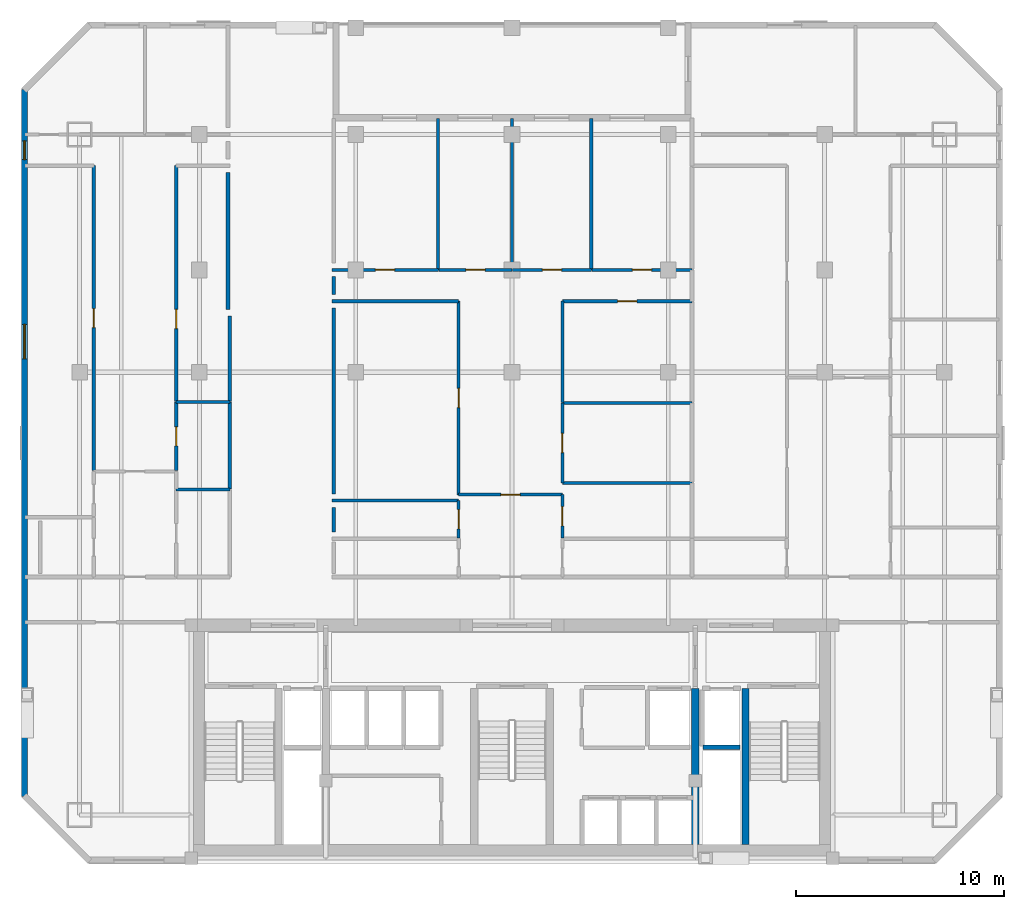
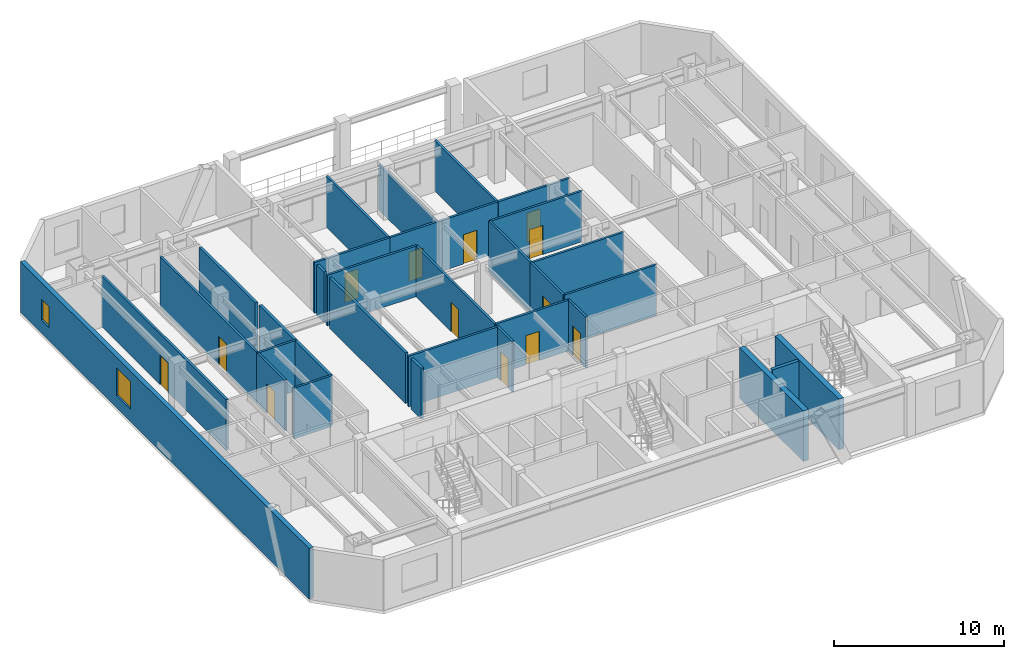
# One storey, part 4 of 8: 33 walls, 13 doors, 2 windows, 15 openings.
"""IFC4 building model written with IfcOpenShell, lengths in metres."""

from ifc_helpers import new_model, si_unit, direction, frame, frame_2d, origin, place, context, subcontext, project, spatial, rectangle, extrude, material, layer, layer_set, type_object, element, fill, save


model = new_model("IFC4")

# Units and contexts
model_context = context("Model", 3, precision=1e-05, world=origin(), true_north=direction((0.0, 1.0)))
body_context = subcontext(model_context, "Body", "Model", "MODEL_VIEW")
ifc_project = project(units=[si_unit("LENGTHUNIT", "METRE"), si_unit("AREAUNIT", "SQUARE_METRE"), si_unit("VOLUMEUNIT", "CUBIC_METRE"), si_unit("PLANEANGLEUNIT", "RADIAN"), si_unit("MASSUNIT", "GRAM", prefix="KILO")], contexts=[model_context])

# Site, building, storey
site_placement = place(None, origin())
site = spatial("IfcSite", under=ifc_project, at=site_placement, CompositionType="ELEMENT")
building_placement = place(site_placement, origin())
building = spatial("IfcBuilding", under=site, at=building_placement, Name="Ventersveld Concourse Tower", CompositionType="ELEMENT")
storey_placement = place(building_placement, frame((0.0, 0.0, 196.449951171875)))
storey = spatial("IfcBuildingStorey", under=building, at=storey_placement, Name="L48", CompositionType="ELEMENT", Elevation=196.449951171875)

# Walls
ifc_material_1 = material(Name="Concrete C50/60", Category="concrete")
ifc_layer_1 = layer(ifc_material_1, 0.35009765625)
ifc_layer_set_1 = layer_set([ifc_layer_1], Name="Concrete C50/60")
wall_type_1 = type_object("IfcWallType", Name="WL-CORE-350U", PredefinedType="SHEAR", material=ifc_layer_set_1)
for number, where, z_axis, x_axis, name in (
    (1, (37.550048828125, 0.919921875, 0.0), (0.0, 0.0, 1.0), (0.0, 1.0, 0.0), "L48 Core Internal Shear Web W-SVL-W"),
    (2, (39.9599609375, 0.919921875, 0.0), (0.0, 0.0, 1.0), (0.0, 1.0, 0.0), "L48 Core Internal Shear Web W-ST2-W"),
):
    element("IfcWall", number, at=place(storey_placement, frame(where, z_axis=z_axis, x_axis=x_axis)), inside=storey, type_object=wall_type_1, Name=name, PredefinedType="SHEAR", context=body_context, shape_type="SweptSolid", body=[
        extrude(rectangle(XDim=7.5, YDim=0.35009765625, at=frame_2d((3.75, 0.0))), origin(), (0.0, 0.0, 1.0), 3.630126953125),
    ])
ifc_material_2 = material(Name="Fire-rated autoclaved aerated masonry blockwork", Category="masonry")
ifc_layer_2 = layer(ifc_material_2, 0.179931640625)
ifc_layer_set_2 = layer_set([ifc_layer_2], Name="Fire-rated autoclaved aerated masonry blockwork")
wall_type_2 = type_object("IfcWallType", Name="WL-CORR-180", PredefinedType="PARTITIONING", material=ifc_layer_set_2)
wall_1_placement = place(storey_placement, frame((15.2099609375, 17.997314453125, 0.0), z_axis=(0.0, 0.0, 1.0), x_axis=(0.0, 1.0, 0.0)))
element("IfcWall", 3, at=wall_1_placement, inside=storey, type_object=wall_type_2, Name="L48 Interior Partition SP-L48-COR-SP-L48-48NW-PANR1", PredefinedType="PARTITIONING", context=body_context, shape_type="SweptSolid", body=[
    extrude(rectangle(XDim=4.16259765625, YDim=0.179931640625, at=frame_2d((2.081298828125, 0.0))), origin(), (0.0, 0.0, 1.0), 3.630126953125),
])
wall_2_placement = place(storey_placement, frame((15.2099609375, 22.189697265625, 0.0), z_axis=(0.0, 0.0, 1.0), x_axis=(0.0, 1.0, 0.0)))
element("IfcWall", 4, at=wall_2_placement, inside=storey, type_object=wall_type_2, Name="L48 Interior Partition SP-L48-COR-SP-L48-48NW-DENR", PredefinedType="PARTITIONING", context=body_context, shape_type="SweptSolid", body=[
    extrude(rectangle(XDim=4.105224609375, YDim=0.179931640625, at=frame_2d((2.052734375, 0.0))), origin(), (0.0, 0.0, 1.0), 3.630126953125),
])
wall_3_placement = place(storey_placement, frame((15.1201171875, 33.175048828125, 0.0), z_axis=(0.0, 0.0, 1.0), x_axis=(0.0, -1.0, 0.0)))
element("IfcWall", 5, at=wall_3_placement, inside=storey, type_object=wall_type_2, Name="L48 Room Enclosure Wall SP-L48-48NW-DENR", PredefinedType="PARTITIONING", context=body_context, shape_type="SweptSolid", body=[
    extrude(rectangle(XDim=6.565185546875, YDim=0.179931640625, at=frame_2d((3.28271484375, 0.0))), origin(), (0.0, 0.0, 1.0), 3.630126953125),
])
wall_4_placement = place(storey_placement, frame((20.199951171875, 27.324951171875, 0.0), z_axis=(0.0, 0.0, 1.0), x_axis=(0.0, 1.0, 0.0)))
element("IfcWall", 6, at=wall_4_placement, inside=storey, type_object=wall_type_2, Name="L48 Room Enclosure Wall SP-L48-48CM-LIV", PredefinedType="PARTITIONING", context=body_context, shape_type="SweptSolid", body=[
    extrude(rectangle(XDim=0.85009765625, YDim=0.179931640625, at=frame_2d((0.425048828125, 0.0))), origin(), (0.0, 0.0, 1.0), 3.630126953125),
])
wall_5_placement = place(storey_placement, frame((20.199951171875, 15.925048828125, 0.0), z_axis=(0.0, 0.0, 1.0), x_axis=(0.0, 1.0, 0.0)))
element("IfcWall", 7, at=wall_5_placement, inside=storey, type_object=wall_type_2, Name="L48 Room Enclosure Wall SP-L48-48CM-PANL0", PredefinedType="PARTITIONING", context=body_context, shape_type="SweptSolid", body=[
    extrude(rectangle(XDim=1.179931640625, YDim=0.179931640625, at=frame_2d((0.58984375, 0.0))), origin(), (0.0, 0.0, 1.0), 3.630126953125),
])
wall_6_placement = place(storey_placement, frame((20.199951171875, 17.7548828125, 0.0), z_axis=(0.0, 0.0, 1.0), x_axis=(0.0, 1.0, 0.0)))
element("IfcWall", 8, at=wall_6_placement, inside=storey, type_object=wall_type_2, Name="L48 Room Enclosure Wall SP-L48-48CM-DENL", PredefinedType="PARTITIONING", context=body_context, shape_type="SweptSolid", body=[
    extrude(rectangle(XDim=8.920166015625, YDim=0.179931640625, at=frame_2d((4.4599609375, 0.0))), origin(), (0.0, 0.0, 1.0), 3.630126953125),
])
ifc_layer_3 = layer(ifc_material_2, 0.219970703125)
ifc_layer_set_3 = layer_set([ifc_layer_3], Name="Fire-rated autoclaved aerated masonry blockwork")
wall_type_3 = type_object("IfcWallType", Name="WL-HOIST-220", PredefinedType="SOLIDWALL", material=ifc_layer_set_3)
wall_7_placement = place(storey_placement, frame((37.919921875, 5.590087890625, 0.0), z_axis=(0.0, 0.0, 1.0), x_axis=(1.0, 0.0, 0.0)))
element("IfcWall", 9, at=wall_7_placement, inside=storey, type_object=wall_type_3, Name="L48 Lift Hoistway Back Wall FFL-02", PredefinedType="SOLIDWALL", context=body_context, shape_type="SweptSolid", body=[
    extrude(rectangle(XDim=1.780029296875, YDim=0.219970703125, at=frame_2d((0.89013671875, 0.0))), origin(), (0.0, 0.0, 1.0), 3.630126953125),
])

# Wall, opening, door
ifc_material_3 = material(Name="Autoclaved aerated masonry blockwork", Category="masonry")
ifc_layer_4 = layer(ifc_material_3, 0.14990234375)
ifc_layer_set_4 = layer_set([ifc_layer_4], Name="Autoclaved aerated masonry blockwork")
wall_type_4 = type_object("IfcWallType", Name="WL-INT-150", PredefinedType="PARTITIONING", material=ifc_layer_set_4)
wall_8_placement = place(storey_placement, frame((8.677490234375, 18.868408203125, 0.0), z_axis=(0.0, 0.0, 1.0), x_axis=(0.0, 1.0, 0.0)))
wall_8 = element("IfcWall", 10, at=wall_8_placement, inside=storey, type_object=wall_type_4, Name="L48 Interior Partition SP-L48-48NW-LIV-SP-L48-48NW-OFFL0", PredefinedType="PARTITIONING", context=body_context, shape_type="SweptSolid", body=[
    extrude(rectangle(XDim=14.636474609375, YDim=0.14990234375, at=frame_2d((7.318359375, 0.0))), origin(), (0.0, 0.0, 1.0), 3.630126953125),
])
opening_1_placement = place(wall_8_placement, frame((6.8583984375, 0.0, 0.0)))
opening_1 = element("IfcOpeningElement", 11, at=opening_1_placement, cuts=wall_8, Name="Opening ID1", PredefinedType="OPENING", context=body_context, shape_type="SweptSolid", body=[
    extrude(rectangle(XDim=0.919921875, YDim=2.10009765625, at=frame_2d((0.4599609375, 1.050048828125))), frame((0.0, 0.0849609375, 0.0), z_axis=(0.0, -1.0, 0.0), x_axis=(1.0, 0.0, 0.0)), (0.0, 0.0, 1.0), 0.169921875),
])
ifc_material_4 = material(Name="Solid-core hardwood veneer timber", Category="wood")
door_type = type_object("IfcDoorType", Name="DR-ROOM-092", OperationType="NOTDEFINED", PredefinedType="DOOR", material=ifc_material_4)
door_1_placement = place(opening_1_placement, origin())
door_1 = element("IfcDoor", 12, at=door_1_placement, inside=storey, type_object=door_type, Name="L48 Interior Door SP-L48-48NW-LIV to SP-L48-48NW-OFFL0 (D-L48-2353)", OperationType="SINGLE_SWING_LEFT", OverallHeight=2.10009765625, OverallWidth=0.919921875, PredefinedType="DOOR", context=body_context, shape_type="SweptSolid", body=[
    extrude(rectangle(XDim=0.919921875, YDim=2.10009765625, at=frame_2d((0.4599609375, 1.050048828125))), frame((0.0, 0.02490234375, 0.0), z_axis=(0.0, -1.0, 0.0), x_axis=(1.0, 0.0, 0.0)), (0.0, 0.0, 1.0), 0.050048828125),
])
fill(opening_1, door_1)

wall_9_placement = place(storey_placement, frame((12.637451171875, 18.868408203125, 0.0), z_axis=(0.0, 0.0, 1.0), x_axis=(0.0, 1.0, 0.0)))
wall_9 = element("IfcWall", 13, at=wall_9_placement, inside=storey, type_object=wall_type_4, Name="L48 Interior Partition SP-L48-48NW-LIV-SP-L48-48NW-PANR1", PredefinedType="PARTITIONING", context=body_context, shape_type="SweptSolid", body=[
    extrude(rectangle(XDim=3.29150390625, YDim=0.14990234375, at=frame_2d((1.645751953125, 0.0))), origin(), (0.0, 0.0, 1.0), 3.630126953125),
])
opening_2_placement = place(wall_9_placement, frame((1.185791015625, 0.0, 0.0)))
opening_2 = element("IfcOpeningElement", 14, at=opening_2_placement, cuts=wall_9, Name="Opening ID1", PredefinedType="OPENING", context=body_context, shape_type="SweptSolid", body=[
    extrude(rectangle(XDim=0.919921875, YDim=2.10009765625, at=frame_2d((0.4599609375, 1.050048828125))), frame((0.0, 0.0849609375, 0.0), z_axis=(0.0, -1.0, 0.0), x_axis=(1.0, 0.0, 0.0)), (0.0, 0.0, 1.0), 0.169921875),
])
door_2_placement = place(opening_2_placement, origin())
door_2 = element("IfcDoor", 15, at=door_2_placement, inside=storey, type_object=door_type, Name="L48 Interior Door SP-L48-48NW-LIV to SP-L48-48NW-PANR1 (D-L48-2354)", OperationType="SINGLE_SWING_RIGHT", OverallHeight=2.10009765625, OverallWidth=0.919921875, PredefinedType="DOOR", context=body_context, shape_type="SweptSolid", body=[
    extrude(rectangle(XDim=0.919921875, YDim=2.10009765625, at=frame_2d((0.4599609375, 1.050048828125))), frame((0.0, 0.02490234375, 0.0), z_axis=(0.0, -1.0, 0.0), x_axis=(1.0, 0.0, 0.0)), (0.0, 0.0, 1.0), 0.050048828125),
])
fill(opening_2, door_2)

wall_10_placement = place(storey_placement, frame((12.637451171875, 22.189697265625, 0.0), z_axis=(0.0, 0.0, 1.0), x_axis=(0.0, 1.0, 0.0)))
wall_10 = element("IfcWall", 16, at=wall_10_placement, inside=storey, type_object=wall_type_4, Name="L48 Interior Partition SP-L48-48NW-LIV-SP-L48-48NW-DENR", PredefinedType="PARTITIONING", context=body_context, shape_type="SweptSolid", body=[
    extrude(rectangle(XDim=11.315185546875, YDim=0.14990234375, at=frame_2d((5.65771484375, 0.0))), origin(), (0.0, 0.0, 1.0), 3.630126953125),
])
opening_3_placement = place(wall_10_placement, frame((3.500244140625, 0.0, 0.0)))
opening_3 = element("IfcOpeningElement", 17, at=opening_3_placement, cuts=wall_10, Name="Opening ID1", PredefinedType="OPENING", context=body_context, shape_type="SweptSolid", body=[
    extrude(rectangle(XDim=0.919921875, YDim=2.10009765625, at=frame_2d((0.4599609375, 1.050048828125))), frame((0.0, 0.0849609375, 0.0), z_axis=(0.0, -1.0, 0.0), x_axis=(1.0, 0.0, 0.0)), (0.0, 0.0, 1.0), 0.169921875),
])
door_3_placement = place(opening_3_placement, origin())
door_3 = element("IfcDoor", 18, at=door_3_placement, inside=storey, type_object=door_type, Name="L48 Interior Door SP-L48-48NW-LIV to SP-L48-48NW-DENR (D-L48-2355)", OperationType="SINGLE_SWING_LEFT", OverallHeight=2.10009765625, OverallWidth=0.919921875, PredefinedType="DOOR", context=body_context, shape_type="SweptSolid", body=[
    extrude(rectangle(XDim=0.919921875, YDim=2.10009765625, at=frame_2d((0.4599609375, 1.050048828125))), frame((0.0, 0.02490234375, 0.0), z_axis=(0.0, -1.0, 0.0), x_axis=(1.0, 0.0, 0.0)), (0.0, 0.0, 1.0), 0.050048828125),
])
fill(opening_3, door_3)

# Walls
for number, where, z_axis, x_axis, name in (
    (19, (12.63232421875, 17.96240234375, 0.0), (0.0, 0.0, 1.0), (1.0, 0.0, 0.0), "L48 Interior Partition SP-L48-48NW-KIT-SP-L48-48NW-PANR1"),
    (20, (12.63232421875, 22.15478515625, 0.0), (0.0, 0.0, 1.0), (1.0, 0.0, 0.0), "L48 Interior Partition SP-L48-48NW-PANR1-SP-L48-48NW-DENR"),
):
    element("IfcWall", number, at=place(storey_placement, frame(where, z_axis=z_axis, x_axis=x_axis)), inside=storey, type_object=wall_type_4, Name=name, PredefinedType="PARTITIONING", context=body_context, shape_type="SweptSolid", body=[
        extrude(rectangle(XDim=2.582763671875, YDim=0.14990234375, at=frame_2d((1.29150390625, 0.0))), origin(), (0.0, 0.0, 1.0), 3.630126953125),
    ])

# Wall, opening, door
wall_11_placement = place(storey_placement, frame((26.183837890625, 17.7158203125, 0.0), z_axis=(0.0, 0.0, 1.0), x_axis=(1.0, 0.0, 0.0)))
wall_11 = element("IfcWall", 21, at=wall_11_placement, inside=storey, type_object=wall_type_4, Name="L48 Interior Partition SP-L48-48CM-FOY-SP-L48-48CM-LIV", PredefinedType="PARTITIONING", context=body_context, shape_type="SweptSolid", body=[
    extrude(rectangle(XDim=4.989990234375, YDim=0.14990234375, at=frame_2d((2.4951171875, 0.0))), origin(), (0.0, 0.0, 1.0), 3.630126953125),
])
opening_4_placement = place(wall_11_placement, frame((2.034912109375, 0.0, 0.0)))
opening_4 = element("IfcOpeningElement", 22, at=opening_4_placement, cuts=wall_11, Name="Opening ID1", PredefinedType="OPENING", context=body_context, shape_type="SweptSolid", body=[
    extrude(rectangle(XDim=0.919921875, YDim=2.10009765625, at=frame_2d((0.4599609375, 1.050048828125))), frame((0.0, 0.0849609375, 0.0), z_axis=(0.0, -1.0, 0.0), x_axis=(1.0, 0.0, 0.0)), (0.0, 0.0, 1.0), 0.169921875),
])
door_4_placement = place(opening_4_placement, origin())
door_4 = element("IfcDoor", 23, at=door_4_placement, inside=storey, type_object=door_type, Name="L48 Interior Door SP-L48-48CM-FOY to SP-L48-48CM-LIV (D-L48-2369)", OperationType="SINGLE_SWING_LEFT", OverallHeight=2.10009765625, OverallWidth=0.919921875, PredefinedType="DOOR", context=body_context, shape_type="SweptSolid", body=[
    extrude(rectangle(XDim=0.919921875, YDim=2.10009765625, at=frame_2d((0.4599609375, 1.050048828125))), frame((0.0, 0.02490234375, 0.0), z_axis=(0.0, -1.0, 0.0), x_axis=(1.0, 0.0, 0.0)), (0.0, 0.0, 1.0), 0.050048828125),
])
fill(opening_4, door_4)

wall_12_placement = place(storey_placement, frame((26.18896484375, 15.635009765625, 0.0), z_axis=(0.0, 0.0, 1.0), x_axis=(0.0, 1.0, 0.0)))
wall_12 = element("IfcWall", 24, at=wall_12_placement, inside=storey, type_object=wall_type_4, Name="L48 Interior Partition SP-L48-48CM-FOY-SP-L48-48CM-PANL0", PredefinedType="PARTITIONING", context=body_context, shape_type="SweptSolid", body=[
    extrude(rectangle(XDim=1.800048828125, YDim=0.14990234375, at=frame_2d((0.89990234375, 0.0))), origin(), (0.0, 0.0, 1.0), 3.630126953125),
])
opening_5_placement = place(wall_12_placement, frame((0.43994140625, 0.0, 0.0)))
opening_5 = element("IfcOpeningElement", 25, at=opening_5_placement, cuts=wall_12, Name="Opening ID1", PredefinedType="OPENING", context=body_context, shape_type="SweptSolid", body=[
    extrude(rectangle(XDim=0.919921875, YDim=2.10009765625, at=frame_2d((0.4599609375, 1.050048828125))), frame((0.0, 0.0849609375, 0.0), z_axis=(0.0, -1.0, 0.0), x_axis=(1.0, 0.0, 0.0)), (0.0, 0.0, 1.0), 0.169921875),
])
door_5_placement = place(opening_5_placement, origin())
door_5 = element("IfcDoor", 26, at=door_5_placement, inside=storey, type_object=door_type, Name="L48 Interior Door SP-L48-48CM-FOY to SP-L48-48CM-PANL0 (D-L48-2371)", OperationType="SINGLE_SWING_LEFT", OverallHeight=2.10009765625, OverallWidth=0.919921875, PredefinedType="DOOR", context=body_context, shape_type="SweptSolid", body=[
    extrude(rectangle(XDim=0.919921875, YDim=2.10009765625, at=frame_2d((0.4599609375, 1.050048828125))), frame((0.0, 0.02490234375, 0.0), z_axis=(0.0, -1.0, 0.0), x_axis=(1.0, 0.0, 0.0)), (0.0, 0.0, 1.0), 0.050048828125),
])
fill(opening_5, door_5)

wall_13_placement = place(storey_placement, frame((31.1689453125, 15.635009765625, 0.0), z_axis=(0.0, 0.0, 1.0), x_axis=(0.0, 1.0, 0.0)))
wall_13 = element("IfcWall", 27, at=wall_13_placement, inside=storey, type_object=wall_type_4, Name="L48 Interior Partition SP-L48-48CM-FOY-SP-L48-48CM-MEDR1", PredefinedType="PARTITIONING", context=body_context, shape_type="SweptSolid", body=[
    extrude(rectangle(XDim=2.085693359375, YDim=0.14990234375, at=frame_2d((1.04296875, 0.0))), origin(), (0.0, 0.0, 1.0), 3.630126953125),
])
opening_6_placement = place(wall_13_placement, frame((0.5830078125, 0.0, 0.0)))
opening_6 = element("IfcOpeningElement", 28, at=opening_6_placement, cuts=wall_13, Name="Opening ID1", PredefinedType="OPENING", context=body_context, shape_type="SweptSolid", body=[
    extrude(rectangle(XDim=0.919921875, YDim=2.10009765625, at=frame_2d((0.4599609375, 1.050048828125))), frame((0.0, 0.0849609375, 0.0), z_axis=(0.0, -1.0, 0.0), x_axis=(1.0, 0.0, 0.0)), (0.0, 0.0, 1.0), 0.169921875),
])
door_6_placement = place(opening_6_placement, origin())
door_6 = element("IfcDoor", 29, at=door_6_placement, inside=storey, type_object=door_type, Name="L48 Interior Door SP-L48-48CM-FOY to SP-L48-48CM-MEDR1 (D-L48-2373)", OperationType="SINGLE_SWING_LEFT", OverallHeight=2.10009765625, OverallWidth=0.919921875, PredefinedType="DOOR", context=body_context, shape_type="SweptSolid", body=[
    extrude(rectangle(XDim=0.919921875, YDim=2.10009765625, at=frame_2d((0.4599609375, 1.050048828125))), frame((0.0, 0.02490234375, 0.0), z_axis=(0.0, -1.0, 0.0), x_axis=(1.0, 0.0, 0.0)), (0.0, 0.0, 1.0), 0.050048828125),
])
fill(opening_6, door_6)

wall_14_placement = place(storey_placement, frame((26.18896484375, 17.710693359375, 0.0), z_axis=(0.0, 0.0, 1.0), x_axis=(0.0, 1.0, 0.0)))
wall_14 = element("IfcWall", 30, at=wall_14_placement, inside=storey, type_object=wall_type_4, Name="L48 Interior Partition SP-L48-48CM-LIV-SP-L48-48CM-DENL", PredefinedType="PARTITIONING", context=body_context, shape_type="SweptSolid", body=[
    extrude(rectangle(XDim=9.294189453125, YDim=0.14990234375, at=frame_2d((4.64697265625, 0.0))), origin(), (0.0, 0.0, 1.0), 3.630126953125),
])
opening_7_placement = place(wall_14_placement, frame((4.18701171875, 0.0, 0.0)))
opening_7 = element("IfcOpeningElement", 31, at=opening_7_placement, cuts=wall_14, Name="Opening ID1", PredefinedType="OPENING", context=body_context, shape_type="SweptSolid", body=[
    extrude(rectangle(XDim=0.919921875, YDim=2.10009765625, at=frame_2d((0.4599609375, 1.050048828125))), frame((0.0, 0.0849609375, 0.0), z_axis=(0.0, -1.0, 0.0), x_axis=(1.0, 0.0, 0.0)), (0.0, 0.0, 1.0), 0.169921875),
])
door_7_placement = place(opening_7_placement, origin())
door_7 = element("IfcDoor", 32, at=door_7_placement, inside=storey, type_object=door_type, Name="L48 Interior Door SP-L48-48CM-LIV to SP-L48-48CM-DENL (D-L48-2374)", OperationType="SINGLE_SWING_RIGHT", OverallHeight=2.10009765625, OverallWidth=0.919921875, PredefinedType="DOOR", context=body_context, shape_type="SweptSolid", body=[
    extrude(rectangle(XDim=0.919921875, YDim=2.10009765625, at=frame_2d((0.4599609375, 1.050048828125))), frame((0.0, 0.02490234375, 0.0), z_axis=(0.0, -1.0, 0.0), x_axis=(1.0, 0.0, 0.0)), (0.0, 0.0, 1.0), 0.050048828125),
])
fill(opening_7, door_7)

# Wall
wall_15_placement = place(storey_placement, frame((20.10498046875, 27.0, 0.0), z_axis=(0.0, 0.0, 1.0), x_axis=(1.0, 0.0, 0.0)))
element("IfcWall", 33, at=wall_15_placement, inside=storey, type_object=wall_type_4, Name="L48 Interior Partition SP-L48-48CM-LIV-SP-L48-48CM-DENL", PredefinedType="PARTITIONING", context=body_context, shape_type="SweptSolid", body=[
    extrude(rectangle(XDim=6.0888671875, YDim=0.14990234375, at=frame_2d((3.04443359375, 0.0))), origin(), (0.0, 0.0, 1.0), 3.630126953125),
])

# Wall, opening, door
wall_16_placement = place(storey_placement, frame((31.1689453125, 18.277099609375, 0.0), z_axis=(0.0, 0.0, 1.0), x_axis=(0.0, 1.0, 0.0)))
wall_16 = element("IfcWall", 34, at=wall_16_placement, inside=storey, type_object=wall_type_4, Name="L48 Interior Partition SP-L48-48CM-LIV-SP-L48-48CM-DENS", PredefinedType="PARTITIONING", context=body_context, shape_type="SweptSolid", body=[
    extrude(rectangle(XDim=3.84326171875, YDim=0.14990234375, at=frame_2d((1.921630859375, 0.0))), origin(), (0.0, 0.0, 1.0), 3.630126953125),
])
opening_8_placement = place(wall_16_placement, frame((1.461669921875, 0.0, 0.0)))
opening_8 = element("IfcOpeningElement", 35, at=opening_8_placement, cuts=wall_16, Name="Opening ID1", PredefinedType="OPENING", context=body_context, shape_type="SweptSolid", body=[
    extrude(rectangle(XDim=0.919921875, YDim=2.10009765625, at=frame_2d((0.4599609375, 1.050048828125))), frame((0.0, 0.0849609375, 0.0), z_axis=(0.0, -1.0, 0.0), x_axis=(1.0, 0.0, 0.0)), (0.0, 0.0, 1.0), 0.169921875),
])
door_8_placement = place(opening_8_placement, origin())
door_8 = element("IfcDoor", 36, at=door_8_placement, inside=storey, type_object=door_type, Name="L48 Interior Door SP-L48-48CM-LIV to SP-L48-48CM-DENS (D-L48-2375)", OperationType="SINGLE_SWING_LEFT", OverallHeight=2.10009765625, OverallWidth=0.919921875, PredefinedType="DOOR", context=body_context, shape_type="SweptSolid", body=[
    extrude(rectangle(XDim=0.919921875, YDim=2.10009765625, at=frame_2d((0.4599609375, 1.050048828125))), frame((0.0, 0.02490234375, 0.0), z_axis=(0.0, -1.0, 0.0), x_axis=(1.0, 0.0, 0.0)), (0.0, 0.0, 1.0), 0.050048828125),
])
fill(opening_8, door_8)

wall_17_placement = place(storey_placement, frame((31.163818359375, 27.0, 0.0), z_axis=(0.0, 0.0, 1.0), x_axis=(1.0, 0.0, 0.0)))
wall_17 = element("IfcWall", 37, at=wall_17_placement, inside=storey, type_object=wall_type_4, Name="L48 Interior Partition SP-L48-48CM-LIV-SP-L48-48CM-DENS2", PredefinedType="PARTITIONING", context=body_context, shape_type="SweptSolid", body=[
    extrude(rectangle(XDim=6.231201171875, YDim=0.14990234375, at=frame_2d((3.11572265625, 0.0))), origin(), (0.0, 0.0, 1.0), 3.630126953125),
])
opening_9_placement = place(wall_17_placement, frame((2.655517578125, 0.0, 0.0)))
opening_9 = element("IfcOpeningElement", 38, at=opening_9_placement, cuts=wall_17, Name="Opening ID1", PredefinedType="OPENING", context=body_context, shape_type="SweptSolid", body=[
    extrude(rectangle(XDim=0.919921875, YDim=2.10009765625, at=frame_2d((0.4599609375, 1.050048828125))), frame((0.0, 0.0849609375, 0.0), z_axis=(0.0, -1.0, 0.0), x_axis=(1.0, 0.0, 0.0)), (0.0, 0.0, 1.0), 0.169921875),
])
door_9_placement = place(opening_9_placement, origin())
door_9 = element("IfcDoor", 39, at=door_9_placement, inside=storey, type_object=door_type, Name="L48 Interior Door SP-L48-48CM-LIV to SP-L48-48CM-DENS2 (D-L48-2376)", OperationType="SINGLE_SWING_RIGHT", OverallHeight=2.10009765625, OverallWidth=0.919921875, PredefinedType="DOOR", context=body_context, shape_type="SweptSolid", body=[
    extrude(rectangle(XDim=0.919921875, YDim=2.10009765625, at=frame_2d((0.4599609375, 1.050048828125))), frame((0.0, 0.02490234375, 0.0), z_axis=(0.0, -1.0, 0.0), x_axis=(1.0, 0.0, 0.0)), (0.0, 0.0, 1.0), 0.050048828125),
])
fill(opening_9, door_9)

# Wall
wall_18_placement = place(storey_placement, frame((31.1689453125, 22.150390625, 0.0), z_axis=(0.0, 0.0, 1.0), x_axis=(0.0, 1.0, 0.0)))
element("IfcWall", 40, at=wall_18_placement, inside=storey, type_object=wall_type_4, Name="L48 Interior Partition SP-L48-48CM-LIV-SP-L48-48CM-DENS2", PredefinedType="PARTITIONING", context=body_context, shape_type="SweptSolid", body=[
    extrude(rectangle(XDim=4.8544921875, YDim=0.14990234375, at=frame_2d((2.42724609375, 0.0))), origin(), (0.0, 0.0, 1.0), 3.630126953125),
])

# Wall, opening, door
wall_19_placement = place(storey_placement, frame((20.10498046875, 28.5, 0.0), z_axis=(0.0, 0.0, 1.0), x_axis=(1.0, 0.0, 0.0)))
wall_19 = element("IfcWall", 41, at=wall_19_placement, inside=storey, type_object=wall_type_4, Name="L48 Interior Partition SP-L48-48CM-LIV-SP-L48-48CM-BR1", PredefinedType="PARTITIONING", context=body_context, shape_type="SweptSolid", body=[
    extrude(rectangle(XDim=5.106201171875, YDim=0.14990234375, at=frame_2d((2.55322265625, 0.0))), origin(), (0.0, 0.0, 1.0), 3.630126953125),
])
opening_10_placement = place(wall_19_placement, frame((2.09326171875, 0.0, 0.0)))
opening_10 = element("IfcOpeningElement", 42, at=opening_10_placement, cuts=wall_19, Name="Opening ID1", PredefinedType="OPENING", context=body_context, shape_type="SweptSolid", body=[
    extrude(rectangle(XDim=0.919921875, YDim=2.10009765625, at=frame_2d((0.4599609375, 1.050048828125))), frame((0.0, 0.0849609375, 0.0), z_axis=(0.0, -1.0, 0.0), x_axis=(1.0, 0.0, 0.0)), (0.0, 0.0, 1.0), 0.169921875),
])
door_10_placement = place(opening_10_placement, origin())
door_10 = element("IfcDoor", 43, at=door_10_placement, inside=storey, type_object=door_type, Name="L48 Interior Door SP-L48-48CM-LIV to SP-L48-48CM-BR1 (D-L48-2377)", OperationType="SINGLE_SWING_LEFT", OverallHeight=2.10009765625, OverallWidth=0.919921875, PredefinedType="DOOR", context=body_context, shape_type="SweptSolid", body=[
    extrude(rectangle(XDim=0.919921875, YDim=2.10009765625, at=frame_2d((0.4599609375, 1.050048828125))), frame((0.0, 0.02490234375, 0.0), z_axis=(0.0, -1.0, 0.0), x_axis=(1.0, 0.0, 0.0)), (0.0, 0.0, 1.0), 0.050048828125),
])
fill(opening_10, door_10)

wall_20_placement = place(storey_placement, frame((25.2412109375, 28.5, 0.0), z_axis=(0.0, 0.0, 1.0), x_axis=(1.0, 0.0, 0.0)))
wall_20 = element("IfcWall", 44, at=wall_20_placement, inside=storey, type_object=wall_type_4, Name="L48 Interior Partition SP-L48-48CM-LIV-SP-L48-48CM-BR2", PredefinedType="PARTITIONING", context=body_context, shape_type="SweptSolid", body=[
    extrude(rectangle(XDim=3.513671875, YDim=0.14990234375, at=frame_2d((1.7568359375, 0.0))), origin(), (0.0, 0.0, 1.0), 3.630126953125),
])
opening_11_placement = place(wall_20_placement, frame((1.296875, 0.0, 0.0)))
opening_11 = element("IfcOpeningElement", 45, at=opening_11_placement, cuts=wall_20, Name="Opening ID1", PredefinedType="OPENING", context=body_context, shape_type="SweptSolid", body=[
    extrude(rectangle(XDim=0.919921875, YDim=2.10009765625, at=frame_2d((0.4599609375, 1.050048828125))), frame((0.0, 0.0849609375, 0.0), z_axis=(0.0, -1.0, 0.0), x_axis=(1.0, 0.0, 0.0)), (0.0, 0.0, 1.0), 0.169921875),
])
door_11_placement = place(opening_11_placement, origin())
door_11 = element("IfcDoor", 46, at=door_11_placement, inside=storey, type_object=door_type, Name="L48 Interior Door SP-L48-48CM-LIV to SP-L48-48CM-BR2 (D-L48-2378)", OperationType="SINGLE_SWING_RIGHT", OverallHeight=2.10009765625, OverallWidth=0.919921875, PredefinedType="DOOR", context=body_context, shape_type="SweptSolid", body=[
    extrude(rectangle(XDim=0.919921875, YDim=2.10009765625, at=frame_2d((0.4599609375, 1.050048828125))), frame((0.0, 0.02490234375, 0.0), z_axis=(0.0, -1.0, 0.0), x_axis=(1.0, 0.0, 0.0)), (0.0, 0.0, 1.0), 0.050048828125),
])
fill(opening_11, door_11)

wall_21_placement = place(storey_placement, frame((28.784912109375, 28.5, 0.0), z_axis=(0.0, 0.0, 1.0), x_axis=(1.0, 0.0, 0.0)))
wall_21 = element("IfcWall", 47, at=wall_21_placement, inside=storey, type_object=wall_type_4, Name="L48 Interior Partition SP-L48-48CM-LIV-SP-L48-48CM-BR3", PredefinedType="PARTITIONING", context=body_context, shape_type="SweptSolid", body=[
    extrude(rectangle(XDim=3.772705078125, YDim=0.14990234375, at=frame_2d((1.88623046875, 0.0))), origin(), (0.0, 0.0, 1.0), 3.630126953125),
])
opening_12_placement = place(wall_21_placement, frame((1.42626953125, 0.0, 0.0)))
opening_12 = element("IfcOpeningElement", 48, at=opening_12_placement, cuts=wall_21, Name="Opening ID1", PredefinedType="OPENING", context=body_context, shape_type="SweptSolid", body=[
    extrude(rectangle(XDim=0.919921875, YDim=2.10009765625, at=frame_2d((0.4599609375, 1.050048828125))), frame((0.0, 0.0849609375, 0.0), z_axis=(0.0, -1.0, 0.0), x_axis=(1.0, 0.0, 0.0)), (0.0, 0.0, 1.0), 0.169921875),
])
door_12_placement = place(opening_12_placement, origin())
door_12 = element("IfcDoor", 49, at=door_12_placement, inside=storey, type_object=door_type, Name="L48 Interior Door SP-L48-48CM-LIV to SP-L48-48CM-BR3 (D-L48-2379)", OperationType="SINGLE_SWING_LEFT", OverallHeight=2.10009765625, OverallWidth=0.919921875, PredefinedType="DOOR", context=body_context, shape_type="SweptSolid", body=[
    extrude(rectangle(XDim=0.919921875, YDim=2.10009765625, at=frame_2d((0.4599609375, 1.050048828125))), frame((0.0, 0.02490234375, 0.0), z_axis=(0.0, -1.0, 0.0), x_axis=(1.0, 0.0, 0.0)), (0.0, 0.0, 1.0), 0.050048828125),
])
fill(opening_12, door_12)

wall_22_placement = place(storey_placement, frame((32.58740234375, 28.5, 0.0), z_axis=(0.0, 0.0, 1.0), x_axis=(1.0, 0.0, 0.0)))
wall_22 = element("IfcWall", 50, at=wall_22_placement, inside=storey, type_object=wall_type_4, Name="L48 Interior Partition SP-L48-48CM-LIV-SP-L48-48CM-BR4", PredefinedType="PARTITIONING", context=body_context, shape_type="SweptSolid", body=[
    extrude(rectangle(XDim=4.8076171875, YDim=0.14990234375, at=frame_2d((2.40380859375, 0.0))), origin(), (0.0, 0.0, 1.0), 3.630126953125),
])
opening_13_placement = place(wall_22_placement, frame((1.94384765625, 0.0, 0.0)))
opening_13 = element("IfcOpeningElement", 51, at=opening_13_placement, cuts=wall_22, Name="Opening ID1", PredefinedType="OPENING", context=body_context, shape_type="SweptSolid", body=[
    extrude(rectangle(XDim=0.919921875, YDim=2.10009765625, at=frame_2d((0.4599609375, 1.050048828125))), frame((0.0, 0.0849609375, 0.0), z_axis=(0.0, -1.0, 0.0), x_axis=(1.0, 0.0, 0.0)), (0.0, 0.0, 1.0), 0.169921875),
])
door_13_placement = place(opening_13_placement, origin())
door_13 = element("IfcDoor", 52, at=door_13_placement, inside=storey, type_object=door_type, Name="L48 Interior Door SP-L48-48CM-LIV to SP-L48-48CM-BR4 (D-L48-2380)", OperationType="SINGLE_SWING_RIGHT", OverallHeight=2.10009765625, OverallWidth=0.919921875, PredefinedType="DOOR", context=body_context, shape_type="SweptSolid", body=[
    extrude(rectangle(XDim=0.919921875, YDim=2.10009765625, at=frame_2d((0.4599609375, 1.050048828125))), frame((0.0, 0.02490234375, 0.0), z_axis=(0.0, -1.0, 0.0), x_axis=(1.0, 0.0, 0.0)), (0.0, 0.0, 1.0), 0.050048828125),
])
fill(opening_13, door_13)

# Walls
wall_23_placement = place(storey_placement, frame((20.10498046875, 17.429931640625, 0.0), z_axis=(0.0, 0.0, 1.0), x_axis=(1.0, 0.0, 0.0)))
element("IfcWall", 53, at=wall_23_placement, inside=storey, type_object=wall_type_4, Name="L48 Interior Partition SP-L48-48CM-PANL0-SP-L48-48CM-DENL", PredefinedType="PARTITIONING", context=body_context, shape_type="SweptSolid", body=[
    extrude(rectangle(XDim=6.0888671875, YDim=0.14990234375, at=frame_2d((3.04443359375, 0.0))), origin(), (0.0, 0.0, 1.0), 3.630126953125),
])
for number, where, z_axis, x_axis, name in (
    (54, (31.163818359375, 18.281982421875, 0.0), (0.0, 0.0, 1.0), (1.0, 0.0, 0.0), "L48 Interior Partition SP-L48-48CM-MEDR1-SP-L48-48CM-DENS"),
    (55, (31.163818359375, 22.115478515625, 0.0), (0.0, 0.0, 1.0), (1.0, 0.0, 0.0), "L48 Interior Partition SP-L48-48CM-DENS-SP-L48-48CM-DENS2"),
):
    element("IfcWall", number, at=place(storey_placement, frame(where, z_axis=z_axis, x_axis=x_axis)), inside=storey, type_object=wall_type_4, Name=name, PredefinedType="PARTITIONING", context=body_context, shape_type="SweptSolid", body=[
        extrude(rectangle(XDim=6.231201171875, YDim=0.14990234375, at=frame_2d((3.11572265625, 0.0))), origin(), (0.0, 0.0, 1.0), 3.630126953125),
    ])
wall_24_placement = place(storey_placement, frame((25.206298828125, 28.4951171875, 0.0), z_axis=(0.0, 0.0, 1.0), x_axis=(0.0, 1.0, 0.0)))
element("IfcWall", 56, at=wall_24_placement, inside=storey, type_object=wall_type_4, Name="L48 Interior Partition SP-L48-48CM-BR1-SP-L48-48CM-BR2", PredefinedType="PARTITIONING", context=body_context, shape_type="SweptSolid", body=[
    extrude(rectangle(XDim=7.282470703125, YDim=0.14990234375, at=frame_2d((3.64111328125, 0.0))), origin(), (0.0, 0.0, 1.0), 3.630126953125),
])
wall_25_placement = place(storey_placement, frame((28.75, 28.4951171875, 0.0), z_axis=(0.0, 0.0, 1.0), x_axis=(0.0, 1.0, 0.0)))
element("IfcWall", 57, at=wall_25_placement, inside=storey, type_object=wall_type_4, Name="L48 Interior Partition SP-L48-48CM-BR2-SP-L48-48CM-BR3", PredefinedType="PARTITIONING", context=body_context, shape_type="SweptSolid", body=[
    extrude(rectangle(XDim=7.282470703125, YDim=0.14990234375, at=frame_2d((3.64111328125, 0.0))), origin(), (0.0, 0.0, 1.0), 3.2236328125),
])
wall_26_placement = place(storey_placement, frame((32.552490234375, 28.4951171875, 0.0), z_axis=(0.0, 0.0, 1.0), x_axis=(0.0, 1.0, 0.0)))
element("IfcWall", 58, at=wall_26_placement, inside=storey, type_object=wall_type_4, Name="L48 Interior Partition SP-L48-48CM-BR3-SP-L48-48CM-BR4", PredefinedType="PARTITIONING", context=body_context, shape_type="SweptSolid", body=[
    extrude(rectangle(XDim=7.282470703125, YDim=0.14990234375, at=frame_2d((3.64111328125, 0.0))), origin(), (0.0, 0.0, 1.0), 3.630126953125),
])

# Wall, openings, windows
ifc_material_5 = material(Name="Precast concrete C45/55", Category="concrete")
ifc_layer_5 = layer(ifc_material_5, 0.300048828125)
ifc_layer_set_5 = layer_set([ifc_layer_5], Name="Precast concrete C45/55")
wall_type_5 = type_object("IfcWallType", Name="WL-PREC-300", PredefinedType="SOLIDWALL", material=ifc_layer_set_5)
wall_27_placement = place(storey_placement, frame((5.35009765625, 37.159912109375, 0.0), z_axis=(0.0, 0.0, 1.0), x_axis=(0.0, -1.0, 0.0)))
wall_27 = element("IfcWall", 59, at=wall_27_placement, inside=storey, type_object=wall_type_5, Name="L48 Highveld Precast Facade Wall E11", PredefinedType="SOLIDWALL", context=body_context, shape_type="SweptSolid", body=[
    extrude(rectangle(XDim=33.919921875, YDim=0.300048828125, at=frame_2d((16.9599609375, 0.0))), origin(), (0.0, 0.0, 1.0), 3.630126953125),
])
opening_14_placement = place(wall_27_placement, frame((2.4599609375, 0.0, 0.949951171875)))
opening_14 = element("IfcOpeningElement", 60, at=opening_14_placement, cuts=wall_27, Name="Opening W4", PredefinedType="OPENING", context=body_context, shape_type="SweptSolid", body=[
    extrude(rectangle(XDim=0.89990234375, YDim=1.5, at=frame_2d((0.449951171875, 0.75))), frame((0.0, 0.16015625, 0.0), z_axis=(0.0, -1.0, 0.0), x_axis=(1.0, 0.0, 0.0)), (0.0, 0.0, 1.0), 0.320068359375),
])
opening_15_placement = place(wall_27_placement, frame((11.2724609375, 0.0, 0.8798828125)))
opening_15 = element("IfcOpeningElement", 61, at=opening_15_placement, cuts=wall_27, Name="Opening W6", PredefinedType="OPENING", context=body_context, shape_type="SweptSolid", body=[
    extrude(rectangle(XDim=1.64990234375, YDim=2.0, at=frame_2d((0.824951171875, 1.0))), frame((0.0, 0.16015625, 0.0), z_axis=(0.0, -1.0, 0.0), x_axis=(1.0, 0.0, 0.0)), (0.0, 0.0, 1.0), 0.320068359375),
])
ifc_material_6 = material(Name="Tempered acoustic Low-E IGU", Category="glass")
window_type_1 = type_object("IfcWindowType", Name="WIN-090x150", PartitioningType="SINGLE_PANEL", PredefinedType="WINDOW", material=ifc_material_6)
window_1_placement = place(opening_14_placement, origin())
window_1 = element("IfcWindow", 62, at=window_1_placement, inside=storey, type_object=window_type_1, Name="L48 Punched Low-E Window W-0671", OverallHeight=1.5, OverallWidth=0.89990234375, PartitioningType="SINGLE_PANEL", PredefinedType="WINDOW", context=body_context, shape_type="SweptSolid", body=[
    extrude(rectangle(XDim=0.89990234375, YDim=1.5, at=frame_2d((0.449951171875, 0.75))), frame((0.0, 0.030029296875, 0.0), z_axis=(0.0, -1.0, 0.0), x_axis=(1.0, 0.0, 0.0)), (0.0, 0.0, 1.0), 0.06005859375),
])
fill(opening_14, window_1)
window_type_2 = type_object("IfcWindowType", Name="WIN-165x200", PartitioningType="SINGLE_PANEL", PredefinedType="WINDOW", material=ifc_material_6)
window_2_placement = place(opening_15_placement, origin())
window_2 = element("IfcWindow", 63, at=window_2_placement, inside=storey, type_object=window_type_2, Name="L48 Punched Low-E Window W-0672", OverallHeight=2.0, OverallWidth=1.64990234375, PartitioningType="SINGLE_PANEL", PredefinedType="WINDOW", context=body_context, shape_type="SweptSolid", body=[
    extrude(rectangle(XDim=1.64990234375, YDim=2.0, at=frame_2d((0.824951171875, 1.0))), frame((0.0, 0.030029296875, 0.0), z_axis=(0.0, -1.0, 0.0), x_axis=(1.0, 0.0, 0.0)), (0.0, 0.0, 1.0), 0.06005859375),
])
fill(opening_15, window_2)

save(model, "model.ifc")
